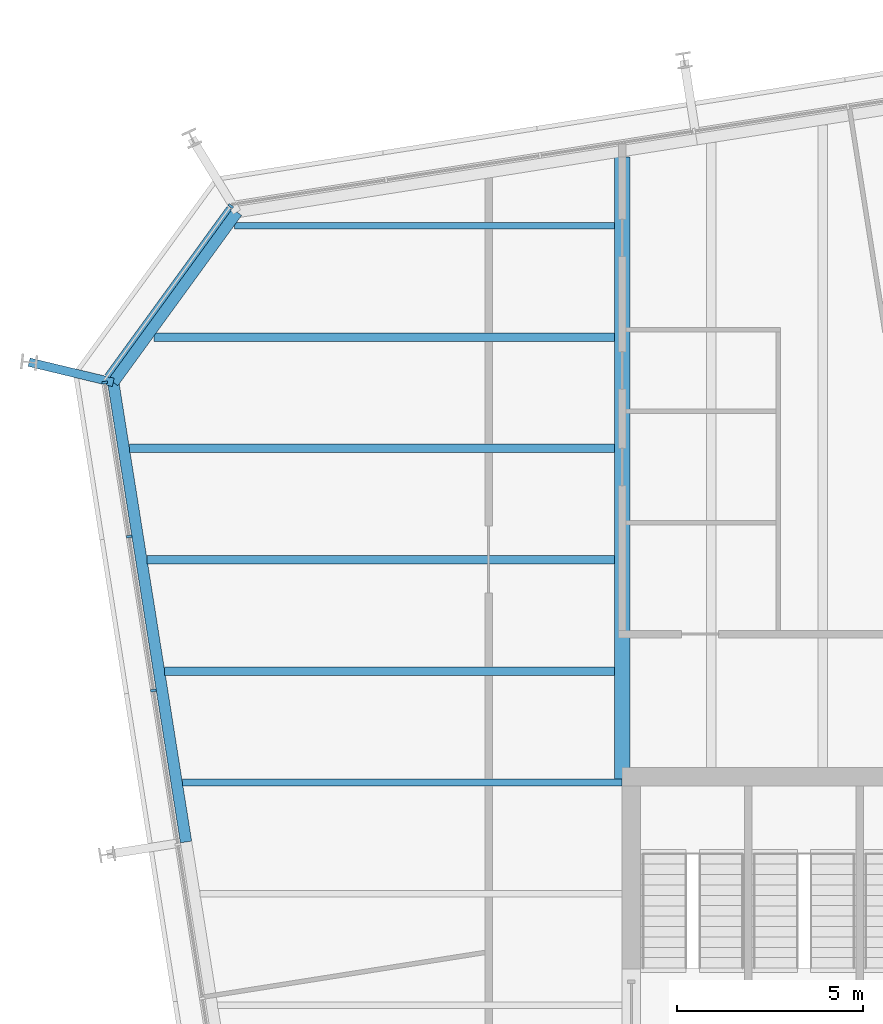
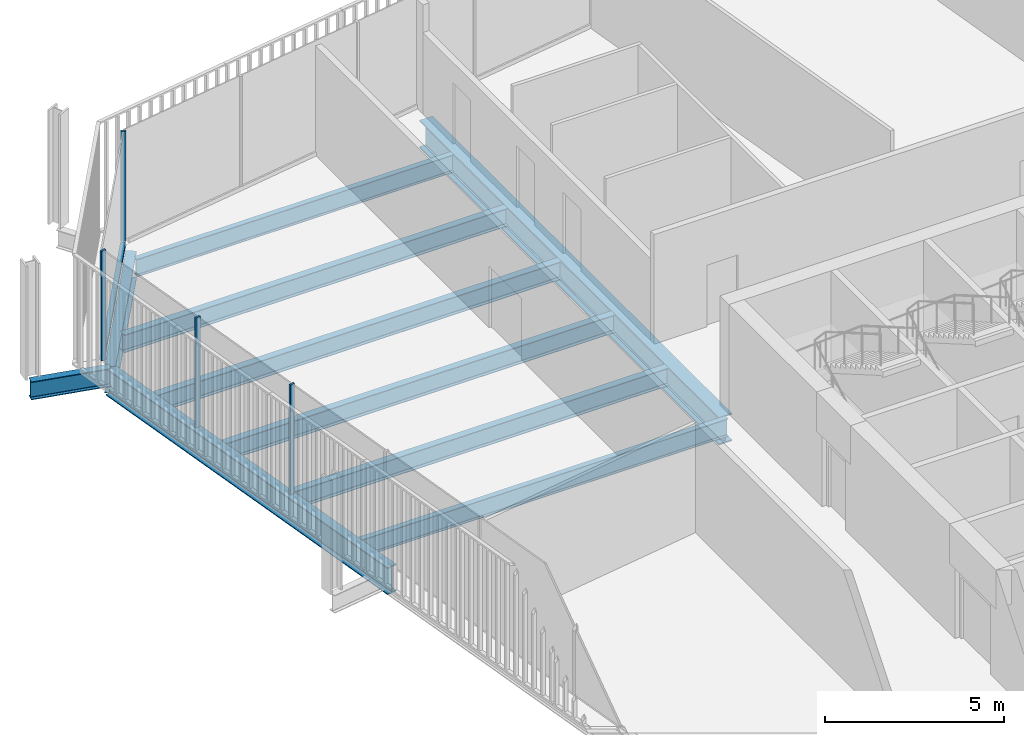
# One storey, part 10 of 20: 10 beams, 5 members, 2 elements without a shape of their own.
"""IFC4 building model written with IfcOpenShell, lengths in metres."""

from ifc_helpers import new_model, si_unit, direction, frame, origin, origin_2d, place, context, subcontext, project, spatial, rectangle, i_section, extrude, material, layer, layer_set, material_profile, profile_set, type_object, element, aggregate, save


model = new_model("IFC4")

# Units and contexts
model_context = context("Model", 3, precision=1e-05, world=origin(), true_north=direction((0.0, 1.0)))
body_context = subcontext(model_context, "Body", "Model", "MODEL_VIEW")
ifc_project = project(units=[si_unit("LENGTHUNIT", "METRE"), si_unit("AREAUNIT", "SQUARE_METRE"), si_unit("VOLUMEUNIT", "CUBIC_METRE"), si_unit("PLANEANGLEUNIT", "RADIAN"), si_unit("MASSUNIT", "GRAM", prefix="KILO")], contexts=[model_context])

# Site, building, storey
site_placement = place(None, origin())
site = spatial("IfcSite", under=ifc_project, at=site_placement, CompositionType="ELEMENT")
building_placement = place(site_placement, origin())
building = spatial("IfcBuilding", under=site, at=building_placement, Name="Millrace Tower", CompositionType="ELEMENT")
storey_placement = place(building_placement, frame((0.0, 0.0, 224.199951171875)))
storey = spatial("IfcBuildingStorey", under=building, at=storey_placement, Name="L51", CompositionType="ELEMENT", Elevation=224.199951171875)

# Curtain wall, member
ifc_material_1 = material(Name="Aluminium and glass", Category="aluminium")
ifc_layer = layer(ifc_material_1, 0.14990234375)
ifc_layer_set = layer_set([ifc_layer], Name="Aluminium and glass")
curtain_wall_type = type_object("IfcCurtainWallType", Name="CW-1 office vision curtain wall", PredefinedType="NOTDEFINED", material=ifc_layer_set)
placement = place(storey_placement, origin())
curtain_wall_1 = element("IfcCurtainWall", 1, at=placement, inside=storey, type_object=curtain_wall_type, Name="Curtain wall D-F07 L51", PredefinedType="NOTDEFINED")
ifc_material_2 = material(Name="Aluminium", Category="aluminium")
ifc_material_profile_1 = material_profile(ifc_material_2, rectangle(XDim=0.06494140625, YDim=0.14990234375, at=origin_2d()))
ifc_profile_set_1 = profile_set([ifc_material_profile_1], Name="Aluminium")
member_type_1 = type_object("IfcMemberType", Name="CW-1 office vision curtain wall mullion", PredefinedType="MULLION", material=ifc_profile_set_1)
member_1_placement = place(storey_placement, frame((-24.945068359375, 24.528076171875, 0.14013671875), z_axis=(0.0, 0.0, 1.0), x_axis=(-0.587785305991, -0.809016955361, 0.0)))
member_1 = element("IfcMember", 2, at=member_1_placement, type_object=member_type_1, Name="CW1 mullion D-F07.1", PredefinedType="MULLION", context=body_context, shape_type="SweptSolid", body=[
    extrude(rectangle(XDim=0.06494140625, YDim=0.14990234375, at=origin_2d()), origin(), (0.0, 0.0, 1.0), 3.760009765625),
])

# Curtain wall, members
curtain_wall_2 = element("IfcCurtainWall", 3, at=placement, inside=storey, type_object=curtain_wall_type, Name="Curtain wall D-F08 L51", PredefinedType="NOTDEFINED")
member_2_placement = place(storey_placement, frame((-28.342529296875, 19.775390625, 0.14013671875), z_axis=(0.0, 0.0, 1.0), x_axis=(0.156434471884, -0.987688339511, 0.0)))
member_2 = element("IfcMember", 4, at=member_2_placement, type_object=member_type_1, Name="CW1 mullion D-F08.1", PredefinedType="MULLION", context=body_context, shape_type="SweptSolid", body=[
    extrude(rectangle(XDim=0.06494140625, YDim=0.14990234375, at=origin_2d()), origin(), (0.0, 0.0, 1.0), 3.760009765625),
])
member_3_placement = place(storey_placement, frame((-27.685302734375, 15.627197265625, 0.14013671875), z_axis=(0.0, 0.0, 1.0), x_axis=(0.156434471884, -0.987688339511, 0.0)))
member_3 = element("IfcMember", 5, at=member_3_placement, type_object=member_type_1, Name="CW1 mullion D-F08.2", PredefinedType="MULLION", context=body_context, shape_type="SweptSolid", body=[
    extrude(rectangle(XDim=0.06494140625, YDim=0.14990234375, at=origin_2d()), origin(), (0.0, 0.0, 1.0), 3.760009765625),
])
member_4_placement = place(storey_placement, frame((-27.0283203125, 11.47900390625, 0.14013671875), z_axis=(0.0, 0.0, 1.0), x_axis=(0.156434471884, -0.987688339511, 0.0)))
member_4 = element("IfcMember", 6, at=member_4_placement, type_object=member_type_1, Name="CW1 mullion D-F08.3", PredefinedType="MULLION", context=body_context, shape_type="SweptSolid", body=[
    extrude(rectangle(XDim=0.06494140625, YDim=0.14990234375, at=origin_2d()), origin(), (0.0, 0.0, 1.0), 3.760009765625),
])
aggregate(curtain_wall_2, [member_2, member_3, member_4])

# Member
ifc_material_3 = material(Name="Aluminium", Category="aluminium")
ifc_material_profile_2 = material_profile(ifc_material_3, rectangle(XDim=0.14990234375, YDim=0.139892578125, at=origin_2d()))
ifc_profile_set_2 = profile_set([ifc_material_profile_2], Name="Aluminium")
member_type_2 = type_object("IfcMemberType", Name="CW-1 office vision curtain wall transom", PredefinedType="USERDEFINED", material=ifc_profile_set_2)
member_5_placement = place(storey_placement, frame((-24.98486328125, 24.473388671875, 0.070068359375), z_axis=(-0.587782670904, -0.809018869857, 0.0), x_axis=(0.809018869857, -0.587782670904, 0.0)))
member_5 = element("IfcMember", 7, at=member_5_placement, type_object=member_type_2, Name="CW1 transom D-F07.1", ObjectType="TRANSOM", PredefinedType="USERDEFINED", context=body_context, shape_type="SweptSolid", body=[
    extrude(rectangle(XDim=0.14990234375, YDim=0.139892578125, at=origin_2d()), origin(), (0.0, 0.0, 1.0), 5.59814453125),
])

aggregate(curtain_wall_1, [member_1, member_5])

# Beams
ifc_material_4 = material(Name="Steel ASTM A992 Grade 50", Category="steel")
ifc_material_profile_3 = material_profile(ifc_material_4, i_section(OverallWidth=0.1787109375, OverallDepth=0.60205078125, WebThickness=0.010986328125, FlangeThickness=0.014892578125, FilletRadius=0.0126953125, at=origin_2d()))
ifc_profile_set_3 = profile_set([ifc_material_profile_3], Name="Steel ASTM A992 Grade 50")
beam_type_1 = type_object("IfcBeamType", Name="Floor beam W24x62", PredefinedType="JOIST", material=ifc_profile_set_3)
beam_1_placement = place(storey_placement, frame((-26.248779296875, 9.0, -0.4609375), z_axis=(1.0, 0.0, 0.0), x_axis=(0.0, 1.0, 0.0)))
element("IfcBeam", 8, at=beam_1_placement, inside=storey, type_object=beam_type_1, Name="BM-D-L51-S1-S023", PredefinedType="JOIST", context=body_context, shape_type="SweptSolid", body=[
    extrude(i_section(OverallWidth=0.1787109375, OverallDepth=0.60205078125, WebThickness=0.010986328125, FlangeThickness=0.014892578125, FilletRadius=0.0126953125, at=origin_2d()), origin(), (0.0, 0.0, 1.0), 11.848876953125),
])
beam_2_placement = place(storey_placement, frame((-24.843994140625, 24.0, -0.4609375), z_axis=(1.0, 0.0, 0.0), x_axis=(0.0, 1.0, 0.0)))
element("IfcBeam", 9, at=beam_2_placement, inside=storey, type_object=beam_type_1, Name="BM-D-L51-S1-S033", PredefinedType="JOIST", context=body_context, shape_type="SweptSolid", body=[
    extrude(i_section(OverallWidth=0.1787109375, OverallDepth=0.60205078125, WebThickness=0.010986328125, FlangeThickness=0.014892578125, FilletRadius=0.0126953125, at=origin_2d()), origin(), (0.0, 0.0, 1.0), 10.234375),
])
ifc_material_5 = material(Name="Steel ASTM A992 Grade 50", Category="steel")
ifc_material_profile_4 = material_profile(ifc_material_5, i_section(OverallWidth=0.228271484375, OverallDepth=0.607177734375, WebThickness=0.01123046875, FlangeThickness=0.017333984375, FilletRadius=0.0126953125, at=origin_2d()))
ifc_profile_set_4 = profile_set([ifc_material_profile_4], Name="Steel ASTM A992 Grade 50")
beam_type_2 = type_object("IfcBeamType", Name="Floor beam W24x76", PredefinedType="JOIST", material=ifc_profile_set_4)
beam_3_placement = place(storey_placement, frame((-26.723876953125, 12.0, -0.46337890625), z_axis=(1.0, 0.0, 0.0), x_axis=(0.0, 1.0, 0.0)))
element("IfcBeam", 10, at=beam_3_placement, inside=storey, type_object=beam_type_2, Name="BM-D-L51-S1-S025", PredefinedType="JOIST", context=body_context, shape_type="SweptSolid", body=[
    extrude(i_section(OverallWidth=0.228271484375, OverallDepth=0.607177734375, WebThickness=0.01123046875, FlangeThickness=0.017333984375, FilletRadius=0.0126953125, at=origin_2d()), origin(), (0.0, 0.0, 1.0), 12.1142578125),
])
beam_4_placement = place(storey_placement, frame((-27.198974609375, 15.0, -0.46337890625), z_axis=(1.0, 0.0, 0.0), x_axis=(0.0, 1.0, 0.0)))
element("IfcBeam", 11, at=beam_4_placement, inside=storey, type_object=beam_type_2, Name="BM-D-L51-S1-S027", PredefinedType="JOIST", context=body_context, shape_type="SweptSolid", body=[
    extrude(i_section(OverallWidth=0.228271484375, OverallDepth=0.607177734375, WebThickness=0.01123046875, FlangeThickness=0.017333984375, FilletRadius=0.0126953125, at=origin_2d()), origin(), (0.0, 0.0, 1.0), 12.58935546875),
])
beam_5_placement = place(storey_placement, frame((-27.674072265625, 18.0, -0.46337890625), z_axis=(1.0, 0.0, 0.0), x_axis=(0.0, 1.0, 0.0)))
element("IfcBeam", 12, at=beam_5_placement, inside=storey, type_object=beam_type_2, Name="BM-D-L51-S1-S029", PredefinedType="JOIST", context=body_context, shape_type="SweptSolid", body=[
    extrude(i_section(OverallWidth=0.228271484375, OverallDepth=0.607177734375, WebThickness=0.01123046875, FlangeThickness=0.017333984375, FilletRadius=0.0126953125, at=origin_2d()), origin(), (0.0, 0.0, 1.0), 13.064453125),
])
beam_6_placement = place(storey_placement, frame((-27.0078125, 21.0, -0.46337890625), z_axis=(1.0, 0.0, 0.0), x_axis=(0.0, 1.0, 0.0)))
element("IfcBeam", 13, at=beam_6_placement, inside=storey, type_object=beam_type_2, Name="BM-D-L51-S1-S031", PredefinedType="JOIST", context=body_context, shape_type="SweptSolid", body=[
    extrude(i_section(OverallWidth=0.228271484375, OverallDepth=0.607177734375, WebThickness=0.01123046875, FlangeThickness=0.017333984375, FilletRadius=0.0126953125, at=origin_2d()), origin(), (0.0, 0.0, 1.0), 12.398193359375),
])
ifc_material_6 = material(Name="Steel ASTM A992 Grade 50", Category="steel")
ifc_material_profile_5 = material_profile(ifc_material_6, i_section(OverallWidth=0.424072265625, OverallDepth=0.947509765625, WebThickness=0.02392578125, FlangeThickness=0.042724609375, FilletRadius=0.024169921875, at=origin_2d()))
ifc_profile_set_5 = profile_set([ifc_material_profile_5], Name="Steel ASTM A992 Grade 50")
beam_type_3 = type_object("IfcBeamType", Name="Girder medium span W36x302", PredefinedType="BEAM", material=ifc_profile_set_5)
beam_7_placement = place(storey_placement, frame((-14.39990234375, 9.092041015625, -0.633544921875), z_axis=(0.0, 1.0, 0.0), x_axis=(-1.0, 0.0, 0.0)))
element("IfcBeam", 14, at=beam_7_placement, inside=storey, type_object=beam_type_3, Name="BM-D-L51-S1-G054", PredefinedType="BEAM", context=body_context, shape_type="SweptSolid", body=[
    extrude(i_section(OverallWidth=0.424072265625, OverallDepth=0.947509765625, WebThickness=0.02392578125, FlangeThickness=0.042724609375, FilletRadius=0.024169921875, at=origin_2d()), origin(), (0.0, 0.0, 1.0), 16.756591796875),
])
ifc_material_7 = material(Name="Steel ASTM A992 Grade 50", Category="steel")
ifc_material_profile_6 = material_profile(ifc_material_7, i_section(OverallWidth=0.23046875, OverallDepth=0.6171875, WebThickness=0.01318359375, FlangeThickness=0.022216796875, FilletRadius=0.012939453125, at=origin_2d()))
ifc_profile_set_6 = profile_set([ifc_material_profile_6], Name="Steel ASTM A992 Grade 50")
beam_type_4 = type_object("IfcBeamType", Name="Link beam W24x94", PredefinedType="BEAM", material=ifc_profile_set_6)
beam_8_placement = place(storey_placement, frame((-28.11181640625, 19.780517578125, -0.468505859375), z_axis=(-0.972367333652, 0.233456138164, 0.0), x_axis=(-0.233456138164, -0.972367333652, 0.0)))
element("IfcBeam", 15, at=beam_8_placement, inside=storey, type_object=beam_type_4, Name="LNK-D-L51-S1-04", PredefinedType="BEAM", context=body_context, shape_type="SweptSolid", body=[
    extrude(i_section(OverallWidth=0.23046875, OverallDepth=0.6171875, WebThickness=0.01318359375, FlangeThickness=0.022216796875, FilletRadius=0.012939453125, at=origin_2d()), origin(), (0.0, 0.0, 1.0), 2.3310546875),
])
ifc_material_8 = material(Name="Steel ASTM A992 Grade 50", Category="steel")
ifc_material_profile_7 = material_profile(ifc_material_8, i_section(OverallWidth=0.307373046875, OverallDepth=0.927001953125, WebThickness=0.01953125, FlangeThickness=0.031982421875, FilletRadius=0.01904296875, at=origin_2d()))
ifc_profile_set_7 = profile_set([ifc_material_profile_7], Name="Steel ASTM A992 Grade 50")
beam_type_5 = type_object("IfcBeamType", Name="Ring beam medium span W36x194", PredefinedType="SPANDREL", material=ifc_profile_set_7)
beam_9_placement = place(storey_placement, frame((-26.150634765625, 7.3984375, -0.62353515625), z_axis=(-0.156438575049, 0.987687689625, 0.0), x_axis=(-0.987687689625, -0.156438575049, 0.0)))
element("IfcBeam", 16, at=beam_9_placement, inside=storey, type_object=beam_type_5, Name="RNG-D-L51-S1-03", PredefinedType="SPANDREL", context=body_context, shape_type="SweptSolid", body=[
    extrude(i_section(OverallWidth=0.307373046875, OverallDepth=0.927001953125, WebThickness=0.01953125, FlangeThickness=0.031982421875, FilletRadius=0.01904296875, at=origin_2d()), origin(), (0.0, 0.0, 1.0), 12.536376953125),
])
ifc_material_9 = material(Name="Steel ASTM A992 Grade 50", Category="steel")
ifc_material_profile_8 = material_profile(ifc_material_9, i_section(OverallWidth=0.307373046875, OverallDepth=0.927001953125, WebThickness=0.01953125, FlangeThickness=0.031982421875, FilletRadius=0.01904296875, at=origin_2d()))
ifc_profile_set_8 = profile_set([ifc_material_profile_8], Name="Steel ASTM A992 Grade 50")
beam_type_6 = type_object("IfcBeamType", Name="Ring beam short span W36x194", PredefinedType="SPANDREL", material=ifc_profile_set_8)
beam_10_placement = place(storey_placement, frame((-28.11181640625, 19.780517578125, -0.62353515625), z_axis=(0.587808154511, 0.809000354444, 0.0), x_axis=(-0.809000354444, 0.587808154511, 0.0)))
element("IfcBeam", 17, at=beam_10_placement, inside=storey, type_object=beam_type_6, Name="RNG-D-L51-S1-04", PredefinedType="SPANDREL", context=body_context, shape_type="SweptSolid", body=[
    extrude(i_section(OverallWidth=0.307373046875, OverallDepth=0.927001953125, WebThickness=0.01953125, FlangeThickness=0.031982421875, FilletRadius=0.01904296875, at=origin_2d()), origin(), (0.0, 0.0, 1.0), 5.671142578125),
])

save(model, "model.ifc")
